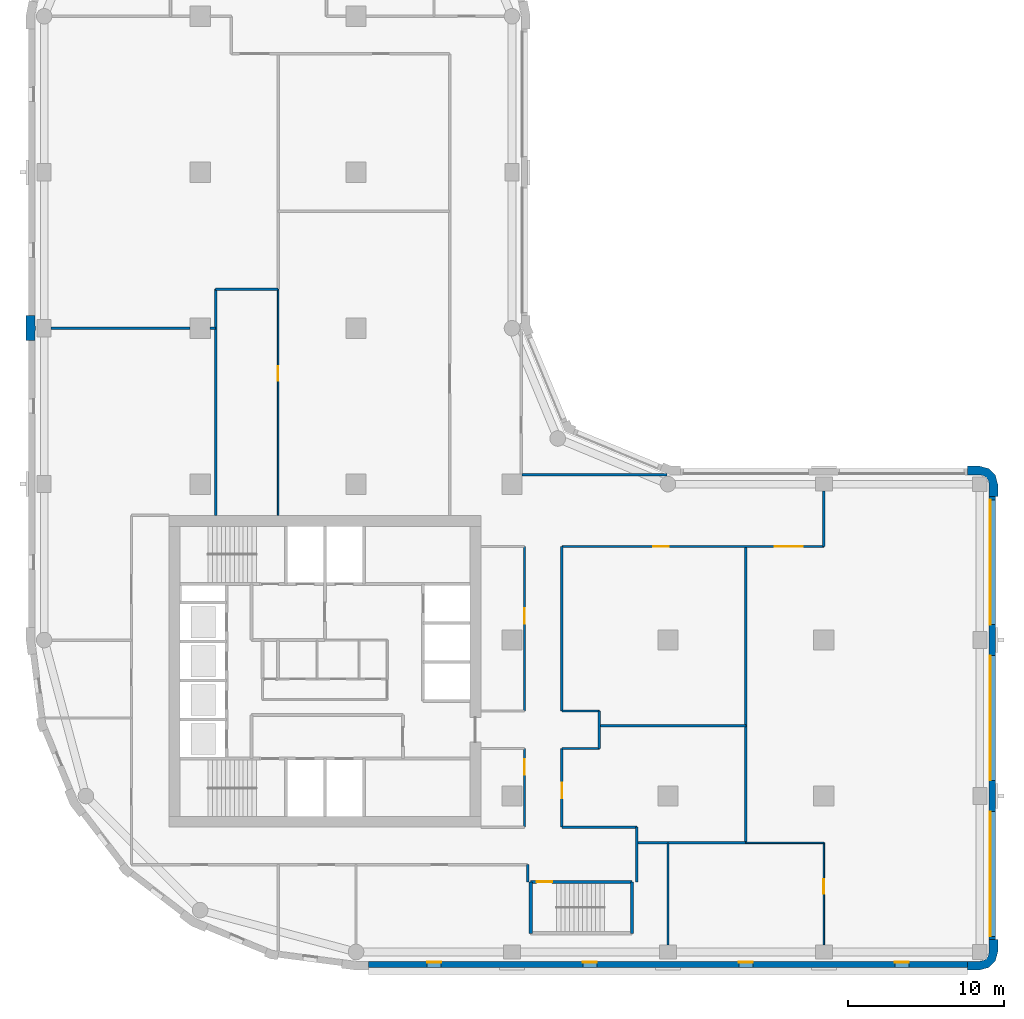
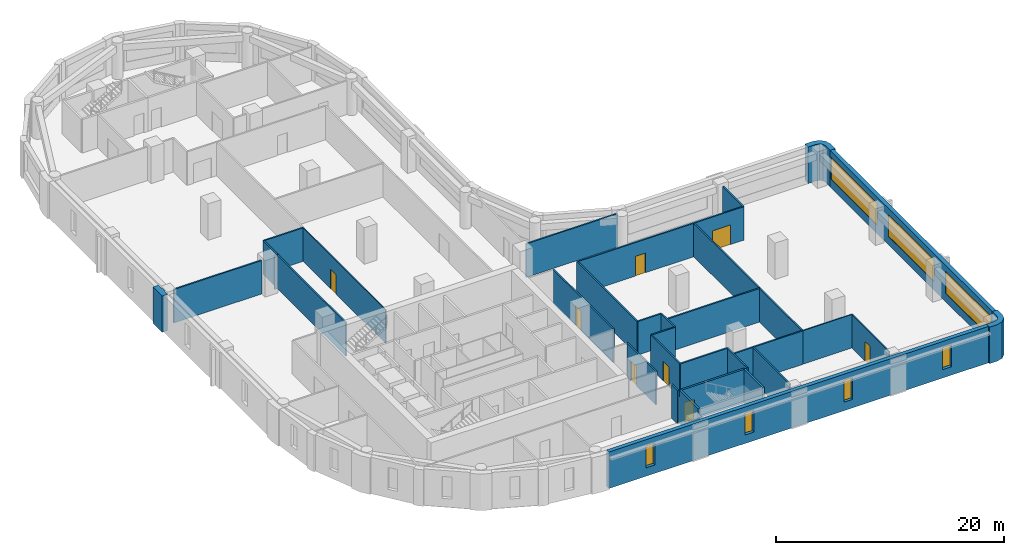
# One storey, part 4 of 9: 32 walls, 8 doors, 7 windows, 15 openings.
"""IFC4 building model written with IfcOpenShell, lengths in metres."""

from ifc_helpers import new_model, si_unit, direction, frame, frame_2d, origin, place, context, subcontext, project, spatial, polyline, rectangle, outline, extrude, material, layer, layer_set, type_object, element, fill, save


model = new_model("IFC4")

# Units and contexts
model_context = context("Model", 3, precision=1e-05, world=origin(), true_north=direction((0.0, 1.0)))
body_context = subcontext(model_context, "Body", "Model", "MODEL_VIEW")
ifc_project = project(units=[si_unit("LENGTHUNIT", "METRE"), si_unit("AREAUNIT", "SQUARE_METRE"), si_unit("VOLUMEUNIT", "CUBIC_METRE"), si_unit("PLANEANGLEUNIT", "RADIAN"), si_unit("MASSUNIT", "GRAM", prefix="KILO")], contexts=[model_context])

# Site, building, storey
site_placement = place(None, origin())
site = spatial("IfcSite", under=ifc_project, at=site_placement, CompositionType="ELEMENT")
building_placement = place(site_placement, origin())
building = spatial("IfcBuilding", under=site, at=building_placement, Name="Qaws Garden Tower", CompositionType="ELEMENT")
storey_placement = place(building_placement, frame((0.0, 0.0, 139.5)))
storey = spatial("IfcBuildingStorey", under=building, at=storey_placement, Name="L33", CompositionType="ELEMENT", Elevation=139.5)

# Walls
ifc_material_1 = material(Name="Clay facing brick masonry", Category="masonry")
ifc_layer_1 = layer(ifc_material_1, 0.550048828125)
ifc_layer_set_1 = layer_set([ifc_layer_1], Name="Clay facing brick masonry")
wall_type_1 = type_object("IfcWallType", Name="Brick corner pier 550 x 2400", PredefinedType="SOLIDWALL", material=ifc_layer_set_1)
placement = place(storey_placement, origin())
element("IfcWall", 1, at=placement, inside=storey, type_object=wall_type_1, Name="E-L33-pier-04", PredefinedType="SOLIDWALL", context=body_context, shape_type="SweptSolid", body=[
    extrude(outline(polyline([(59.199951171875, -1.0), (59.199951171875, -1.14990234375), (60.0, -1.14990234375), (60.574951171875, -0.995849609375), (60.995849609375, -0.574951171875), (61.14990234375, 0.0), (61.14990234375, 0.800048828125), (61.0, 0.800048828125), (60.60009765625, 0.800048828125), (60.60009765625, 0.0), (60.51953125, -0.300048828125), (60.300048828125, -0.51953125), (60.0, -0.60009765625), (59.199951171875, -0.60009765625), (59.199951171875, -1.0)])), origin(), (0.0, 0.0, 1.0), 3.89990234375),
])
element("IfcWall", 2, at=placement, inside=storey, type_object=wall_type_1, Name="E-L33-pier-07", PredefinedType="SOLIDWALL", context=body_context, shape_type="SweptSolid", body=[
    extrude(outline(polyline([(61.0, 29.199951171875), (61.14990234375, 29.199951171875), (61.14990234375, 30.0), (60.995849609375, 30.574951171875), (60.574951171875, 30.995849609375), (60.0, 31.14990234375), (59.199951171875, 31.14990234375), (59.199951171875, 31.0), (59.199951171875, 30.60009765625), (60.0, 30.60009765625), (60.300048828125, 30.51953125), (60.51953125, 30.300048828125), (60.60009765625, 30.0), (60.60009765625, 29.199951171875), (61.0, 29.199951171875)])), origin(), (0.0, 0.0, 1.0), 3.89990234375),
])

# Wall, openings, windows
ifc_material_2 = material(Name="Clay facing brick masonry", Category="masonry")
ifc_layer_2 = layer(ifc_material_2, 0.39990234375)
ifc_layer_set_2 = layer_set([ifc_layer_2], Name="Clay facing brick masonry")
wall_type_2 = type_object("IfcWallType", Name="Brick infill wall 400", PredefinedType="SOLIDWALL", material=ifc_layer_set_2)
wall_3_placement = place(storey_placement, frame((20.800048828125, -0.800048828125, 0.0), z_axis=(0.0, 0.0, 1.0), x_axis=(1.0, 0.0, 0.0)))
wall_3 = element("IfcWall", 3, at=wall_3_placement, inside=storey, type_object=wall_type_2, Name="E-L33-infill-00", PredefinedType="SOLIDWALL", context=body_context, shape_type="SweptSolid", body=[
    extrude(rectangle(XDim=38.39990234375, YDim=0.39990234375, at=frame_2d((19.199951171875, 0.0))), origin(), (0.0, 0.0, 1.0), 3.89990234375),
])
opening_1_placement = place(wall_3_placement, frame((3.75, 0.0, 0.89990234375)))
opening_1 = element("IfcOpeningElement", 4, at=opening_1_placement, cuts=wall_3, Name="Opening W09", PredefinedType="OPENING", context=body_context, shape_type="SweptSolid", body=[
    extrude(rectangle(XDim=0.89990234375, YDim=2.35009765625, at=frame_2d((0.449951171875, 1.175048828125))), frame((0.0, 0.2099609375, 0.0), z_axis=(0.0, -1.0, 0.0), x_axis=(1.0, 0.0, 0.0)), (0.0, 0.0, 1.0), 0.419921875),
])
opening_2_placement = place(wall_3_placement, frame((13.75, 0.0, 0.89990234375)))
opening_2 = element("IfcOpeningElement", 5, at=opening_2_placement, cuts=wall_3, Name="Opening W09", PredefinedType="OPENING", context=body_context, shape_type="SweptSolid", body=[
    extrude(rectangle(XDim=0.89990234375, YDim=2.35009765625, at=frame_2d((0.449951171875, 1.175048828125))), frame((0.0, 0.2099609375, 0.0), z_axis=(0.0, -1.0, 0.0), x_axis=(1.0, 0.0, 0.0)), (0.0, 0.0, 1.0), 0.419921875),
])
opening_3_placement = place(wall_3_placement, frame((23.75, 0.0, 0.89990234375)))
opening_3 = element("IfcOpeningElement", 6, at=opening_3_placement, cuts=wall_3, Name="Opening W09", PredefinedType="OPENING", context=body_context, shape_type="SweptSolid", body=[
    extrude(rectangle(XDim=0.89990234375, YDim=2.35009765625, at=frame_2d((0.449951171875, 1.175048828125))), frame((0.0, 0.2099609375, 0.0), z_axis=(0.0, -1.0, 0.0), x_axis=(1.0, 0.0, 0.0)), (0.0, 0.0, 1.0), 0.419921875),
])
opening_4_placement = place(wall_3_placement, frame((33.75, 0.0, 0.89990234375)))
opening_4 = element("IfcOpeningElement", 7, at=opening_4_placement, cuts=wall_3, Name="Opening W09", PredefinedType="OPENING", context=body_context, shape_type="SweptSolid", body=[
    extrude(rectangle(XDim=0.89990234375, YDim=2.35009765625, at=frame_2d((0.449951171875, 1.175048828125))), frame((0.0, 0.2099609375, 0.0), z_axis=(0.0, -1.0, 0.0), x_axis=(1.0, 0.0, 0.0)), (0.0, 0.0, 1.0), 0.419921875),
])
ifc_material_3 = material(Name="Aluminium framed window, clear glazing", Category="aluminium")
window_type_1 = type_object("IfcWindowType", Name="Slit window 900 x 2350", PartitioningType="SINGLE_PANEL", PredefinedType="WINDOW", material=ifc_material_3)
window_1_placement = place(opening_1_placement, origin())
window_1 = element("IfcWindow", 8, at=window_1_placement, inside=storey, type_object=window_type_1, Name="E-L33-window-00-0", OverallHeight=2.35009765625, OverallWidth=0.89990234375, PartitioningType="SINGLE_PANEL", PredefinedType="WINDOW", context=body_context, shape_type="SweptSolid", body=[
    extrude(rectangle(XDim=0.89990234375, YDim=2.35009765625, at=frame_2d((0.449951171875, 1.175048828125))), frame((0.0, 0.159912109375, 0.0), z_axis=(0.0, -1.0, 0.0), x_axis=(1.0, 0.0, 0.0)), (0.0, 0.0, 1.0), 0.06005859375),
])
fill(opening_1, window_1)
window_2_placement = place(opening_2_placement, origin())
window_2 = element("IfcWindow", 9, at=window_2_placement, inside=storey, type_object=window_type_1, Name="E-L33-window-01-0", OverallHeight=2.35009765625, OverallWidth=0.89990234375, PartitioningType="SINGLE_PANEL", PredefinedType="WINDOW", context=body_context, shape_type="SweptSolid", body=[
    extrude(rectangle(XDim=0.89990234375, YDim=2.35009765625, at=frame_2d((0.449951171875, 1.175048828125))), frame((0.0, 0.159912109375, 0.0), z_axis=(0.0, -1.0, 0.0), x_axis=(1.0, 0.0, 0.0)), (0.0, 0.0, 1.0), 0.06005859375),
])
fill(opening_2, window_2)
window_3_placement = place(opening_3_placement, origin())
window_3 = element("IfcWindow", 10, at=window_3_placement, inside=storey, type_object=window_type_1, Name="E-L33-window-02-0", OverallHeight=2.35009765625, OverallWidth=0.89990234375, PartitioningType="SINGLE_PANEL", PredefinedType="WINDOW", context=body_context, shape_type="SweptSolid", body=[
    extrude(rectangle(XDim=0.89990234375, YDim=2.35009765625, at=frame_2d((0.449951171875, 1.175048828125))), frame((0.0, 0.159912109375, 0.0), z_axis=(0.0, -1.0, 0.0), x_axis=(1.0, 0.0, 0.0)), (0.0, 0.0, 1.0), 0.06005859375),
])
fill(opening_3, window_3)
window_4_placement = place(opening_4_placement, origin())
window_4 = element("IfcWindow", 11, at=window_4_placement, inside=storey, type_object=window_type_1, Name="E-L33-window-03-0", OverallHeight=2.35009765625, OverallWidth=0.89990234375, PartitioningType="SINGLE_PANEL", PredefinedType="WINDOW", context=body_context, shape_type="SweptSolid", body=[
    extrude(rectangle(XDim=0.89990234375, YDim=2.35009765625, at=frame_2d((0.449951171875, 1.175048828125))), frame((0.0, 0.159912109375, 0.0), z_axis=(0.0, -1.0, 0.0), x_axis=(1.0, 0.0, 0.0)), (0.0, 0.0, 1.0), 0.06005859375),
])
fill(opening_4, window_4)

wall_4_placement = place(storey_placement, frame((60.800048828125, 0.800048828125, 0.0), z_axis=(0.0, 0.0, 1.0), x_axis=(0.0, 1.0, 0.0)))
wall_4 = element("IfcWall", 12, at=wall_4_placement, inside=storey, type_object=wall_type_2, Name="E-L33-infill-04", PredefinedType="SOLIDWALL", context=body_context, shape_type="SweptSolid", body=[
    extrude(rectangle(XDim=28.39990234375, YDim=0.39990234375, at=frame_2d((14.199951171875, 0.0))), origin(), (0.0, 0.0, 1.0), 3.89990234375),
])
opening_5_placement = place(wall_4_placement, frame((0.199951171875, 0.0, 0.89990234375)))
opening_5 = element("IfcOpeningElement", 13, at=opening_5_placement, cuts=wall_4, Name="Opening W01", PredefinedType="OPENING", context=body_context, shape_type="SweptSolid", body=[
    extrude(rectangle(XDim=8.0, YDim=2.35009765625, at=frame_2d((4.0, 1.175048828125))), frame((0.0, 0.2099609375, 0.0), z_axis=(0.0, -1.0, 0.0), x_axis=(1.0, 0.0, 0.0)), (0.0, 0.0, 1.0), 0.419921875),
])
opening_6_placement = place(wall_4_placement, frame((10.199951171875, 0.0, 0.89990234375)))
opening_6 = element("IfcOpeningElement", 14, at=opening_6_placement, cuts=wall_4, Name="Opening W01", PredefinedType="OPENING", context=body_context, shape_type="SweptSolid", body=[
    extrude(rectangle(XDim=8.0, YDim=2.35009765625, at=frame_2d((4.0, 1.175048828125))), frame((0.0, 0.2099609375, 0.0), z_axis=(0.0, -1.0, 0.0), x_axis=(1.0, 0.0, 0.0)), (0.0, 0.0, 1.0), 0.419921875),
])
opening_7_placement = place(wall_4_placement, frame((20.199951171875, 0.0, 0.89990234375)))
opening_7 = element("IfcOpeningElement", 15, at=opening_7_placement, cuts=wall_4, Name="Opening W01", PredefinedType="OPENING", context=body_context, shape_type="SweptSolid", body=[
    extrude(rectangle(XDim=8.0, YDim=2.35009765625, at=frame_2d((4.0, 1.175048828125))), frame((0.0, 0.2099609375, 0.0), z_axis=(0.0, -1.0, 0.0), x_axis=(1.0, 0.0, 0.0)), (0.0, 0.0, 1.0), 0.419921875),
])
ifc_material_4 = material(Name="Aluminium framed window, clear glazing", Category="aluminium")
window_type_2 = type_object("IfcWindowType", Name="Ribbon window 8000 x 2350", PartitioningType="DOUBLE_PANEL_VERTICAL", PredefinedType="WINDOW", material=ifc_material_4)
window_5_placement = place(opening_5_placement, origin())
window_5 = element("IfcWindow", 16, at=window_5_placement, inside=storey, type_object=window_type_2, Name="E-L33-window-04-0", OverallHeight=2.35009765625, OverallWidth=8.0, PartitioningType="SINGLE_PANEL", PredefinedType="WINDOW", context=body_context, shape_type="SweptSolid", body=[
    extrude(rectangle(XDim=8.0, YDim=2.35009765625, at=frame_2d((4.0, 1.175048828125))), frame((0.0, 0.159912109375, 0.0), z_axis=(0.0, -1.0, 0.0), x_axis=(1.0, 0.0, 0.0)), (0.0, 0.0, 1.0), 0.06005859375),
])
fill(opening_5, window_5)
window_6_placement = place(opening_6_placement, origin())
window_6 = element("IfcWindow", 17, at=window_6_placement, inside=storey, type_object=window_type_2, Name="E-L33-window-05-0", OverallHeight=2.35009765625, OverallWidth=8.0, PartitioningType="SINGLE_PANEL", PredefinedType="WINDOW", context=body_context, shape_type="SweptSolid", body=[
    extrude(rectangle(XDim=8.0, YDim=2.35009765625, at=frame_2d((4.0, 1.175048828125))), frame((0.0, 0.159912109375, 0.0), z_axis=(0.0, -1.0, 0.0), x_axis=(1.0, 0.0, 0.0)), (0.0, 0.0, 1.0), 0.06005859375),
])
fill(opening_6, window_6)
window_7_placement = place(opening_7_placement, origin())
window_7 = element("IfcWindow", 18, at=window_7_placement, inside=storey, type_object=window_type_2, Name="E-L33-window-06-0", OverallHeight=2.35009765625, OverallWidth=8.0, PartitioningType="SINGLE_PANEL", PredefinedType="WINDOW", context=body_context, shape_type="SweptSolid", body=[
    extrude(rectangle(XDim=8.0, YDim=2.35009765625, at=frame_2d((4.0, 1.175048828125))), frame((0.0, 0.159912109375, 0.0), z_axis=(0.0, -1.0, 0.0), x_axis=(1.0, 0.0, 0.0)), (0.0, 0.0, 1.0), 0.06005859375),
])
fill(opening_7, window_7)

# Wall
ifc_material_5 = material(Name="Clay facing brick masonry", Category="masonry")
ifc_layer_3 = layer(ifc_material_5, 0.550048828125)
ifc_layer_set_3 = layer_set([ifc_layer_3], Name="Clay facing brick masonry")
wall_type_3 = type_object("IfcWallType", Name="Brick pier 550 x 1600", PredefinedType="SOLIDWALL", material=ifc_layer_set_3)
element("IfcWall", 19, at=placement, inside=storey, type_object=wall_type_3, Name="E-L33-pier-23", PredefinedType="SOLIDWALL", context=body_context, shape_type="SweptSolid", body=[
    extrude(outline(polyline([(-0.60009765625, 39.199951171875), (-0.60009765625, 39.85009765625), (-0.550048828125, 39.85009765625), (-0.550048828125, 40.14990234375), (-0.60009765625, 40.14990234375), (-0.60009765625, 40.800048828125), (-1.0, 40.800048828125), (-1.14990234375, 40.800048828125), (-1.14990234375, 40.0), (-1.14990234375, 39.199951171875), (-1.0, 39.199951171875), (-0.60009765625, 39.199951171875)])), origin(), (0.0, 0.0, 1.0), 3.89990234375),
])

# Wall, opening, door
ifc_material_6 = material(Name="Concrete C70", Category="concrete")
ifc_layer_4 = layer(ifc_material_6, 0.199951171875)
ifc_layer_set_4 = layer_set([ifc_layer_4], Name="Concrete C70")
wall_type_4 = type_object("IfcWallType", Name="Core shaft wall 200 C70", PredefinedType="SHEAR", material=ifc_layer_set_4)
wall_6_placement = place(storey_placement, frame((31.199951171875, 4.5, 0.0), z_axis=(0.0, 0.0, 1.0), x_axis=(1.0, 0.0, 0.0)))
wall_6 = element("IfcWall", 20, at=wall_6_placement, inside=storey, type_object=wall_type_4, Name="Shaft wall", PredefinedType="SHEAR", context=body_context, shape_type="SweptSolid", body=[
    extrude(rectangle(XDim=6.5, YDim=0.199951171875, at=frame_2d((3.25, 0.0))), origin(), (0.0, 0.0, 1.0), 3.580078125),
])
opening_8_placement = place(wall_6_placement, frame((0.375, 0.0, 0.0)))
opening_8 = element("IfcOpeningElement", 21, at=opening_8_placement, cuts=wall_6, Name="Opening SD12", PredefinedType="OPENING", context=body_context, shape_type="SweptSolid", body=[
    extrude(rectangle(XDim=1.0, YDim=2.10009765625, at=frame_2d((0.5, 1.050048828125))), frame((0.0, 0.10986328125, 0.0), z_axis=(0.0, -1.0, 0.0), x_axis=(1.0, 0.0, 0.0)), (0.0, 0.0, 1.0), 0.219970703125),
])
ifc_material_7 = material(Name="Steel S235", Category="steel")
door_type_1 = type_object("IfcDoorType", Name="Stair door 1000x2100", OperationType="SINGLE_SWING_RIGHT", PredefinedType="DOOR", material=ifc_material_7)
door_1_placement = place(opening_8_placement, frame((1.0, 0.0, 0.0), z_axis=(0.0, 0.0, 1.0), x_axis=(-1.0, 0.0, 0.0)))
door_1 = element("IfcDoor", 22, at=door_1_placement, inside=storey, type_object=door_type_1, Name="Stair 5 door", OperationType="SINGLE_SWING_RIGHT", OverallHeight=2.10009765625, OverallWidth=1.0, PredefinedType="DOOR", context=body_context, shape_type="SweptSolid", body=[
    extrude(rectangle(XDim=1.0, YDim=2.10009765625, at=frame_2d((0.5, 1.050048828125))), frame((0.0, 0.02490234375, 0.0), z_axis=(0.0, -1.0, 0.0), x_axis=(1.0, 0.0, 0.0)), (0.0, 0.0, 1.0), 0.050048828125),
])
fill(opening_8, door_1)

# Walls
for number, where, z_axis, x_axis, name in (
    (23, (31.199951171875, 1.199951171875, 0.0), (0.0, 0.0, 1.0), (0.0, 1.0, 0.0), "Shaft wall"),
    (24, (37.699951171875, 1.199951171875, 0.0), (0.0, 0.0, 1.0), (0.0, 1.0, 0.0), "Shaft wall"),
):
    element("IfcWall", number, at=place(storey_placement, frame(where, z_axis=z_axis, x_axis=x_axis)), inside=storey, type_object=wall_type_4, Name=name, PredefinedType="SHEAR", context=body_context, shape_type="SweptSolid", body=[
        extrude(rectangle(XDim=3.300048828125, YDim=0.199951171875, at=frame_2d((1.64990234375, 0.0))), origin(), (0.0, 0.0, 1.0), 3.580078125),
    ])

# Wall, opening, door
ifc_material_8 = material(Name="Gypsum board partition")
ifc_layer_5 = layer(ifc_material_8, 0.10009765625)
ifc_layer_set_5 = layer_set([ifc_layer_5], Name="Gypsum board partition")
wall_type_5 = type_object("IfcWallType", Name="PARTITION 100", PredefinedType="PARTITIONING", material=ifc_layer_set_5)
wall_7_placement = place(storey_placement, frame((15.0, 28.0, 0.0), z_axis=(0.0, 0.0, 1.0), x_axis=(0.0, 1.0, 0.0)))
wall_7 = element("IfcWall", 25, at=wall_7_placement, inside=storey, type_object=wall_type_5, Name="O-L33-wall-001", PredefinedType="PARTITIONING", context=body_context, shape_type="SweptSolid", body=[
    extrude(rectangle(XDim=14.5, YDim=0.10009765625, at=frame_2d((7.25, 0.0))), origin(), (0.0, 0.0, 1.0), 3.580078125),
])
opening_9_placement = place(wall_7_placement, frame((8.625, 0.0, 0.0)))
opening_9 = element("IfcOpeningElement", 26, at=opening_9_placement, cuts=wall_7, Name="Opening B120", PredefinedType="OPENING", context=body_context, shape_type="SweptSolid", body=[
    extrude(rectangle(XDim=0.949951171875, YDim=2.10009765625, at=frame_2d((0.47509765625, 1.050048828125))), frame((0.0, 0.06005859375, 0.0), z_axis=(0.0, -1.0, 0.0), x_axis=(1.0, 0.0, 0.0)), (0.0, 0.0, 1.0), 0.1201171875),
])
ifc_material_9 = material(Name="Timber and glass door leaf", Category="wood")
door_type_2 = type_object("IfcDoorType", Name="GLAZED DOOR 950 X 2100", OperationType="SINGLE_SWING_LEFT", PredefinedType="DOOR", material=ifc_material_9)
door_2_placement = place(opening_9_placement, origin())
door_2 = element("IfcDoor", 27, at=door_2_placement, inside=storey, type_object=door_type_2, Name="O-L33-door-020", OperationType="SINGLE_SWING_LEFT", OverallHeight=2.10009765625, OverallWidth=0.949951171875, PredefinedType="DOOR", context=body_context, shape_type="SweptSolid", body=[
    extrude(rectangle(XDim=0.949951171875, YDim=2.10009765625, at=frame_2d((0.47509765625, 1.050048828125))), frame((0.0, 0.02490234375, 0.0), z_axis=(0.0, -1.0, 0.0), x_axis=(1.0, 0.0, 0.0)), (0.0, 0.0, 1.0), 0.050048828125),
])
fill(opening_9, door_2)

wall_8_placement = place(storey_placement, frame((50.0, 0.449951171875, 0.0), z_axis=(0.0, 0.0, 1.0), x_axis=(0.0, 1.0, 0.0)))
wall_8 = element("IfcWall", 28, at=wall_8_placement, inside=storey, type_object=wall_type_5, Name="O-L33-wall-002", PredefinedType="PARTITIONING", context=body_context, shape_type="SweptSolid", body=[
    extrude(rectangle(XDim=6.550048828125, YDim=0.10009765625, at=frame_2d((3.27490234375, 0.0))), origin(), (0.0, 0.0, 1.0), 3.580078125),
])
opening_10_placement = place(wall_8_placement, frame((3.27490234375, 0.0, 0.0)))
opening_10 = element("IfcOpeningElement", 29, at=opening_10_placement, cuts=wall_8, Name="Opening B119", PredefinedType="OPENING", context=body_context, shape_type="SweptSolid", body=[
    extrude(rectangle(XDim=0.949951171875, YDim=2.10009765625, at=frame_2d((0.47509765625, 1.050048828125))), frame((0.0, 0.06005859375, 0.0), z_axis=(0.0, -1.0, 0.0), x_axis=(1.0, 0.0, 0.0)), (0.0, 0.0, 1.0), 0.1201171875),
])
door_3_placement = place(opening_10_placement, origin())
door_3 = element("IfcDoor", 30, at=door_3_placement, inside=storey, type_object=door_type_2, Name="O-L33-door-019", OperationType="SINGLE_SWING_RIGHT", OverallHeight=2.10009765625, OverallWidth=0.949951171875, PredefinedType="DOOR", context=body_context, shape_type="SweptSolid", body=[
    extrude(rectangle(XDim=0.949951171875, YDim=2.10009765625, at=frame_2d((0.47509765625, 1.050048828125))), frame((0.0, 0.02490234375, 0.0), z_axis=(0.0, -1.0, 0.0), x_axis=(1.0, 0.0, 0.0)), (0.0, 0.0, 1.0), 0.050048828125),
])
fill(opening_10, door_3)

# Walls
wall_9_placement = place(storey_placement, frame((45.0, 7.0, 0.0), z_axis=(0.0, 0.0, 1.0), x_axis=(1.0, 0.0, 0.0)))
element("IfcWall", 31, at=wall_9_placement, inside=storey, type_object=wall_type_5, Name="O-L33-wall-003", PredefinedType="PARTITIONING", context=body_context, shape_type="SweptSolid", body=[
    extrude(rectangle(XDim=5.0, YDim=0.10009765625, at=frame_2d((2.5, 0.0))), origin(), (0.0, 0.0, 1.0), 3.580078125),
])
ifc_material_10 = material(Name="Gypsum board partition")
ifc_layer_6 = layer(ifc_material_10, 0.14990234375)
ifc_layer_set_6 = layer_set([ifc_layer_6], Name="Gypsum board partition")
wall_type_6 = type_object("IfcWallType", Name="PARTITION 150 EI 60", PredefinedType="PARTITIONING", material=ifc_layer_set_6)
wall_10_placement = place(storey_placement, frame((11.0, 28.0, 0.0), z_axis=(0.0, 0.0, 1.0), x_axis=(0.0, 1.0, 0.0)))
element("IfcWall", 32, at=wall_10_placement, inside=storey, type_object=wall_type_6, Name="O-L33-wall-006", PredefinedType="PARTITIONING", context=body_context, shape_type="SweptSolid", body=[
    extrude(rectangle(XDim=14.5, YDim=0.14990234375, at=frame_2d((7.25, 0.0))), origin(), (0.0, 0.0, 1.0), 3.580078125),
])

# Wall, opening, door
wall_11_placement = place(storey_placement, frame((30.800048828125, 8.0, 0.0), z_axis=(0.0, 0.0, 1.0), x_axis=(0.0, 1.0, 0.0)))
wall_11 = element("IfcWall", 33, at=wall_11_placement, inside=storey, type_object=wall_type_6, Name="O-L33-wall-015", PredefinedType="PARTITIONING", context=body_context, shape_type="SweptSolid", body=[
    extrude(rectangle(XDim=5.050048828125, YDim=0.14990234375, at=frame_2d((2.52490234375, 0.0))), origin(), (0.0, 0.0, 1.0), 3.580078125),
])
opening_11_placement = place(wall_11_placement, frame((3.35009765625, 0.0, 0.0)))
opening_11 = element("IfcOpeningElement", 34, at=opening_11_placement, cuts=wall_11, Name="Opening B116", PredefinedType="OPENING", context=body_context, shape_type="SweptSolid", body=[
    extrude(rectangle(XDim=1.0, YDim=2.10009765625, at=frame_2d((0.5, 1.050048828125))), frame((0.0, 0.0849609375, 0.0), z_axis=(0.0, -1.0, 0.0), x_axis=(1.0, 0.0, 0.0)), (0.0, 0.0, 1.0), 0.169921875),
])
ifc_material_11 = material(Name="Timber door leaf", Category="wood")
door_type_3 = type_object("IfcDoorType", Name="TENANCY ENTRANCE DOOR 1000 X 2100", OperationType="SINGLE_SWING_LEFT", PredefinedType="DOOR", material=ifc_material_11)
door_4_placement = place(opening_11_placement, origin())
door_4 = element("IfcDoor", 35, at=door_4_placement, inside=storey, type_object=door_type_3, Name="O-L33-door-016", OperationType="SINGLE_SWING_RIGHT", OverallHeight=2.10009765625, OverallWidth=1.0, PredefinedType="DOOR", context=body_context, shape_type="SweptSolid", body=[
    extrude(rectangle(XDim=1.0, YDim=2.10009765625, at=frame_2d((0.5, 1.050048828125))), frame((0.0, 0.02490234375, 0.0), z_axis=(0.0, -1.0, 0.0), x_axis=(1.0, 0.0, 0.0)), (0.0, 0.0, 1.0), 0.050048828125),
])
fill(opening_11, door_4)

wall_12_placement = place(storey_placement, frame((30.800048828125, 15.449951171875, 0.0), z_axis=(0.0, 0.0, 1.0), x_axis=(0.0, 1.0, 0.0)))
wall_12 = element("IfcWall", 36, at=wall_12_placement, inside=storey, type_object=wall_type_6, Name="O-L33-wall-016", PredefinedType="PARTITIONING", context=body_context, shape_type="SweptSolid", body=[
    extrude(rectangle(XDim=10.550048828125, YDim=0.14990234375, at=frame_2d((5.27490234375, 0.0))), origin(), (0.0, 0.0, 1.0), 3.580078125),
])
opening_12_placement = place(wall_12_placement, frame((5.60009765625, 0.0, 0.0)))
opening_12 = element("IfcOpeningElement", 37, at=opening_12_placement, cuts=wall_12, Name="Opening B115", PredefinedType="OPENING", context=body_context, shape_type="SweptSolid", body=[
    extrude(rectangle(XDim=1.0, YDim=2.10009765625, at=frame_2d((0.5, 1.050048828125))), frame((0.0, 0.0849609375, 0.0), z_axis=(0.0, -1.0, 0.0), x_axis=(1.0, 0.0, 0.0)), (0.0, 0.0, 1.0), 0.169921875),
])
door_5_placement = place(opening_12_placement, origin())
door_5 = element("IfcDoor", 38, at=door_5_placement, inside=storey, type_object=door_type_3, Name="O-L33-door-015", OperationType="SINGLE_SWING_RIGHT", OverallHeight=2.10009765625, OverallWidth=1.0, PredefinedType="DOOR", context=body_context, shape_type="SweptSolid", body=[
    extrude(rectangle(XDim=1.0, YDim=2.10009765625, at=frame_2d((0.5, 1.050048828125))), frame((0.0, 0.02490234375, 0.0), z_axis=(0.0, -1.0, 0.0), x_axis=(1.0, 0.0, 0.0)), (0.0, 0.0, 1.0), 0.050048828125),
])
fill(opening_12, door_5)

# Wall
wall_13_placement = place(storey_placement, frame((31.0, 4.5, 0.0), z_axis=(0.0, 0.0, 1.0), x_axis=(0.0, 1.0, 0.0)))
element("IfcWall", 39, at=wall_13_placement, inside=storey, type_object=wall_type_6, Name="O-L33-wall-017", PredefinedType="PARTITIONING", context=body_context, shape_type="SweptSolid", body=[
    extrude(rectangle(XDim=1.10009765625, YDim=0.14990234375, at=frame_2d((0.550048828125, 0.0))), origin(), (0.0, 0.0, 1.0), 3.580078125),
])

# Wall, opening, door
wall_14_placement = place(storey_placement, frame((33.199951171875, 8.0, 0.0), z_axis=(0.0, 0.0, 1.0), x_axis=(0.0, 1.0, 0.0)))
wall_14 = element("IfcWall", 40, at=wall_14_placement, inside=storey, type_object=wall_type_6, Name="O-L33-wall-018", PredefinedType="PARTITIONING", context=body_context, shape_type="SweptSolid", body=[
    extrude(rectangle(XDim=5.050048828125, YDim=0.14990234375, at=frame_2d((2.52490234375, 0.0))), origin(), (0.0, 0.0, 1.0), 3.580078125),
])
opening_13_placement = place(wall_14_placement, frame((1.85009765625, 0.0, 0.0)))
opening_13 = element("IfcOpeningElement", 41, at=opening_13_placement, cuts=wall_14, Name="Opening B117", PredefinedType="OPENING", context=body_context, shape_type="SweptSolid", body=[
    extrude(rectangle(XDim=1.0, YDim=2.10009765625, at=frame_2d((0.5, 1.050048828125))), frame((0.0, 0.0849609375, 0.0), z_axis=(0.0, -1.0, 0.0), x_axis=(1.0, 0.0, 0.0)), (0.0, 0.0, 1.0), 0.169921875),
])
door_6_placement = place(opening_13_placement, frame((1.0, 0.0, 0.0), z_axis=(0.0, 0.0, 1.0), x_axis=(-1.0, 0.0, 0.0)))
door_6 = element("IfcDoor", 42, at=door_6_placement, inside=storey, type_object=door_type_3, Name="O-L33-door-017", OperationType="SINGLE_SWING_LEFT", OverallHeight=2.10009765625, OverallWidth=1.0, PredefinedType="DOOR", context=body_context, shape_type="SweptSolid", body=[
    extrude(rectangle(XDim=1.0, YDim=2.10009765625, at=frame_2d((0.5, 1.050048828125))), frame((0.0, 0.02490234375, 0.0), z_axis=(0.0, -1.0, 0.0), x_axis=(1.0, 0.0, 0.0)), (0.0, 0.0, 1.0), 0.050048828125),
])
fill(opening_13, door_6)

# Walls
wall_15_placement = place(storey_placement, frame((33.199951171875, 15.449951171875, 0.0), z_axis=(0.0, 0.0, 1.0), x_axis=(0.0, 1.0, 0.0)))
element("IfcWall", 43, at=wall_15_placement, inside=storey, type_object=wall_type_6, Name="O-L33-wall-019", PredefinedType="PARTITIONING", context=body_context, shape_type="SweptSolid", body=[
    extrude(rectangle(XDim=10.550048828125, YDim=0.14990234375, at=frame_2d((5.27490234375, 0.0))), origin(), (0.0, 0.0, 1.0), 3.580078125),
])
wall_16_placement = place(storey_placement, frame((35.60009765625, 13.050048828125, 0.0), z_axis=(0.0, 0.0, 1.0), x_axis=(0.0, 1.0, 0.0)))
element("IfcWall", 44, at=wall_16_placement, inside=storey, type_object=wall_type_6, Name="O-L33-wall-020", PredefinedType="PARTITIONING", context=body_context, shape_type="SweptSolid", body=[
    extrude(rectangle(XDim=2.39990234375, YDim=0.14990234375, at=frame_2d((1.199951171875, 0.0))), origin(), (0.0, 0.0, 1.0), 3.580078125),
])
wall_17_placement = place(storey_placement, frame((38.0, 4.5, 0.0), z_axis=(0.0, 0.0, 1.0), x_axis=(0.0, 1.0, 0.0)))
element("IfcWall", 45, at=wall_17_placement, inside=storey, type_object=wall_type_6, Name="O-L33-wall-021", PredefinedType="PARTITIONING", context=body_context, shape_type="SweptSolid", body=[
    extrude(rectangle(XDim=3.5, YDim=0.14990234375, at=frame_2d((1.75, 0.0))), origin(), (0.0, 0.0, 1.0), 3.580078125),
])
wall_18_placement = place(storey_placement, frame((40.0, 0.449951171875, 0.0), z_axis=(0.0, 0.0, 1.0), x_axis=(0.0, 1.0, 0.0)))
element("IfcWall", 46, at=wall_18_placement, inside=storey, type_object=wall_type_6, Name="O-L33-wall-022", PredefinedType="PARTITIONING", context=body_context, shape_type="SweptSolid", body=[
    extrude(rectangle(XDim=6.550048828125, YDim=0.14990234375, at=frame_2d((3.27490234375, 0.0))), origin(), (0.0, 0.0, 1.0), 3.580078125),
])
wall_19_placement = place(storey_placement, frame((45.0, 7.0, 0.0), z_axis=(0.0, 0.0, 1.0), x_axis=(0.0, 1.0, 0.0)))
element("IfcWall", 47, at=wall_19_placement, inside=storey, type_object=wall_type_6, Name="O-L33-wall-023", PredefinedType="PARTITIONING", context=body_context, shape_type="SweptSolid", body=[
    extrude(rectangle(XDim=19.0, YDim=0.14990234375, at=frame_2d((9.5, 0.0))), origin(), (0.0, 0.0, 1.0), 3.580078125),
])
wall_20_placement = place(storey_placement, frame((50.0, 26.0, 0.0), z_axis=(0.0, 0.0, 1.0), x_axis=(0.0, 1.0, 0.0)))
element("IfcWall", 48, at=wall_20_placement, inside=storey, type_object=wall_type_6, Name="O-L33-wall-024", PredefinedType="PARTITIONING", context=body_context, shape_type="SweptSolid", body=[
    extrude(rectangle(XDim=3.550048828125, YDim=0.14990234375, at=frame_2d((1.77490234375, 0.0))), origin(), (0.0, 0.0, 1.0), 3.580078125),
])
wall_21_placement = place(storey_placement, frame((38.0, 7.0, 0.0), z_axis=(0.0, 0.0, 1.0), x_axis=(1.0, 0.0, 0.0)))
element("IfcWall", 49, at=wall_21_placement, inside=storey, type_object=wall_type_6, Name="O-L33-wall-026", PredefinedType="PARTITIONING", context=body_context, shape_type="SweptSolid", body=[
    extrude(rectangle(XDim=7.0, YDim=0.14990234375, at=frame_2d((3.5, 0.0))), origin(), (0.0, 0.0, 1.0), 3.580078125),
])
wall_22_placement = place(storey_placement, frame((33.199951171875, 8.0, 0.0), z_axis=(0.0, 0.0, 1.0), x_axis=(1.0, 0.0, 0.0)))
element("IfcWall", 50, at=wall_22_placement, inside=storey, type_object=wall_type_6, Name="O-L33-wall-028", PredefinedType="PARTITIONING", context=body_context, shape_type="SweptSolid", body=[
    extrude(rectangle(XDim=4.800048828125, YDim=0.14990234375, at=frame_2d((2.39990234375, 0.0))), origin(), (0.0, 0.0, 1.0), 3.580078125),
])
wall_23_placement = place(storey_placement, frame((33.199951171875, 13.050048828125, 0.0), z_axis=(0.0, 0.0, 1.0), x_axis=(1.0, 0.0, 0.0)))
element("IfcWall", 51, at=wall_23_placement, inside=storey, type_object=wall_type_6, Name="O-L33-wall-030", PredefinedType="PARTITIONING", context=body_context, shape_type="SweptSolid", body=[
    extrude(rectangle(XDim=2.400146484375, YDim=0.14990234375, at=frame_2d((1.2001953125, 0.0))), origin(), (0.0, 0.0, 1.0), 3.580078125),
])
wall_24_placement = place(storey_placement, frame((35.60009765625, 14.5, 0.0), z_axis=(0.0, 0.0, 1.0), x_axis=(1.0, 0.0, 0.0)))
element("IfcWall", 52, at=wall_24_placement, inside=storey, type_object=wall_type_6, Name="O-L33-wall-031", PredefinedType="PARTITIONING", context=body_context, shape_type="SweptSolid", body=[
    extrude(rectangle(XDim=9.39990234375, YDim=0.14990234375, at=frame_2d((4.699951171875, 0.0))), origin(), (0.0, 0.0, 1.0), 3.580078125),
])
wall_25_placement = place(storey_placement, frame((33.199951171875, 15.449951171875, 0.0), z_axis=(0.0, 0.0, 1.0), x_axis=(1.0, 0.0, 0.0)))
element("IfcWall", 53, at=wall_25_placement, inside=storey, type_object=wall_type_6, Name="O-L33-wall-034", PredefinedType="PARTITIONING", context=body_context, shape_type="SweptSolid", body=[
    extrude(rectangle(XDim=2.400146484375, YDim=0.14990234375, at=frame_2d((1.2001953125, 0.0))), origin(), (0.0, 0.0, 1.0), 3.580078125),
])

# Wall, openings, doors
wall_26_placement = place(storey_placement, frame((33.199951171875, 26.0, 0.0), z_axis=(0.0, 0.0, 1.0), x_axis=(1.0, 0.0, 0.0)))
wall_26 = element("IfcWall", 54, at=wall_26_placement, inside=storey, type_object=wall_type_6, Name="O-L33-wall-037", PredefinedType="PARTITIONING", context=body_context, shape_type="SweptSolid", body=[
    extrude(rectangle(XDim=16.800048828125, YDim=0.14990234375, at=frame_2d((8.39990234375, 0.0))), origin(), (0.0, 0.0, 1.0), 3.580078125),
])
opening_14_placement = place(wall_26_placement, frame((5.85009765625, 0.0, 0.0)))
opening_14 = element("IfcOpeningElement", 55, at=opening_14_placement, cuts=wall_26, Name="Opening B114", PredefinedType="OPENING", context=body_context, shape_type="SweptSolid", body=[
    extrude(rectangle(XDim=1.0, YDim=2.10009765625, at=frame_2d((0.5, 1.050048828125))), frame((0.0, 0.0849609375, 0.0), z_axis=(0.0, -1.0, 0.0), x_axis=(1.0, 0.0, 0.0)), (0.0, 0.0, 1.0), 0.169921875),
])
opening_15_placement = place(wall_26_placement, frame((13.64990234375, 0.0, 0.0)))
opening_15 = element("IfcOpeningElement", 56, at=opening_15_placement, cuts=wall_26, Name="Opening B118", PredefinedType="OPENING", context=body_context, shape_type="SweptSolid", body=[
    extrude(rectangle(XDim=1.800048828125, YDim=2.10009765625, at=frame_2d((0.89990234375, 1.050048828125))), frame((0.0, 0.0849609375, 0.0), z_axis=(0.0, -1.0, 0.0), x_axis=(1.0, 0.0, 0.0)), (0.0, 0.0, 1.0), 0.169921875),
])
ifc_material_12 = material(Name="Timber door leaf", Category="wood")
door_type_4 = type_object("IfcDoorType", Name="DOUBLE DOOR 1800 X 2100", OperationType="DOUBLE_DOOR_SINGLE_SWING", PredefinedType="DOOR", material=ifc_material_12)
door_7_placement = place(opening_15_placement, frame((1.800048828125, 0.0, 0.0), z_axis=(0.0, 0.0, 1.0), x_axis=(-1.0, 0.0, 0.0)))
door_7 = element("IfcDoor", 57, at=door_7_placement, inside=storey, type_object=door_type_4, Name="O-L33-door-018", OperationType="DOUBLE_DOOR_SINGLE_SWING", OverallHeight=2.10009765625, OverallWidth=1.800048828125, PredefinedType="DOOR", context=body_context, shape_type="SweptSolid", body=[
    extrude(rectangle(XDim=1.800048828125, YDim=2.10009765625, at=frame_2d((0.89990234375, 1.050048828125))), frame((0.0, 0.02490234375, 0.0), z_axis=(0.0, -1.0, 0.0), x_axis=(1.0, 0.0, 0.0)), (0.0, 0.0, 1.0), 0.050048828125),
])
fill(opening_15, door_7)
door_8_placement = place(opening_14_placement, frame((1.0, 0.0, 0.0), z_axis=(0.0, 0.0, 1.0), x_axis=(-1.0, 0.0, 0.0)))
door_8 = element("IfcDoor", 58, at=door_8_placement, inside=storey, type_object=door_type_3, Name="O-L33-door-014", OperationType="SINGLE_SWING_RIGHT", OverallHeight=2.10009765625, OverallWidth=1.0, PredefinedType="DOOR", context=body_context, shape_type="SweptSolid", body=[
    extrude(rectangle(XDim=1.0, YDim=2.10009765625, at=frame_2d((0.5, 1.050048828125))), frame((0.0, 0.02490234375, 0.0), z_axis=(0.0, -1.0, 0.0), x_axis=(1.0, 0.0, 0.0)), (0.0, 0.0, 1.0), 0.050048828125),
])
fill(opening_14, door_8)

# Walls
wall_27_placement = place(storey_placement, frame((30.64990234375, 30.60009765625, 0.0), z_axis=(0.0, 0.0, 1.0), x_axis=(1.0, 0.0, 0.0)))
element("IfcWall", 59, at=wall_27_placement, inside=storey, type_object=wall_type_6, Name="O-L33-wall-039", PredefinedType="PARTITIONING", context=body_context, shape_type="SweptSolid", body=[
    extrude(rectangle(XDim=9.288330078125, YDim=0.14990234375, at=frame_2d((4.64404296875, 0.0))), origin(), (0.0, 0.0, 1.0), 3.580078125),
])
wall_28_placement = place(storey_placement, frame((0.449951171875, 40.0, 0.0), z_axis=(0.0, 0.0, 1.0), x_axis=(1.0, 0.0, 0.0)))
element("IfcWall", 60, at=wall_28_placement, inside=storey, type_object=wall_type_6, Name="O-L33-wall-040", PredefinedType="PARTITIONING", context=body_context, shape_type="SweptSolid", body=[
    extrude(rectangle(XDim=8.900146484375, YDim=0.14990234375, at=frame_2d((4.4501953125, 0.0))), origin(), (0.0, 0.0, 1.0), 3.580078125),
])
wall_29_placement = place(storey_placement, frame((10.64990234375, 40.0, 0.0), z_axis=(0.0, 0.0, 1.0), x_axis=(1.0, 0.0, 0.0)))
element("IfcWall", 61, at=wall_29_placement, inside=storey, type_object=wall_type_6, Name="O-L33-wall-041", PredefinedType="PARTITIONING", context=body_context, shape_type="SweptSolid", body=[
    extrude(rectangle(XDim=0.35009765625, YDim=0.14990234375, at=frame_2d((0.175048828125, 0.0))), origin(), (0.0, 0.0, 1.0), 3.580078125),
])
wall_30_placement = place(storey_placement, frame((11.0, 42.5, 0.0), z_axis=(0.0, 0.0, 1.0), x_axis=(1.0, 0.0, 0.0)))
element("IfcWall", 62, at=wall_30_placement, inside=storey, type_object=wall_type_6, Name="O-L33-wall-042", PredefinedType="PARTITIONING", context=body_context, shape_type="SweptSolid", body=[
    extrude(rectangle(XDim=4.0, YDim=0.14990234375, at=frame_2d((2.0, 0.0))), origin(), (0.0, 0.0, 1.0), 3.580078125),
])

save(model, "model.ifc")
